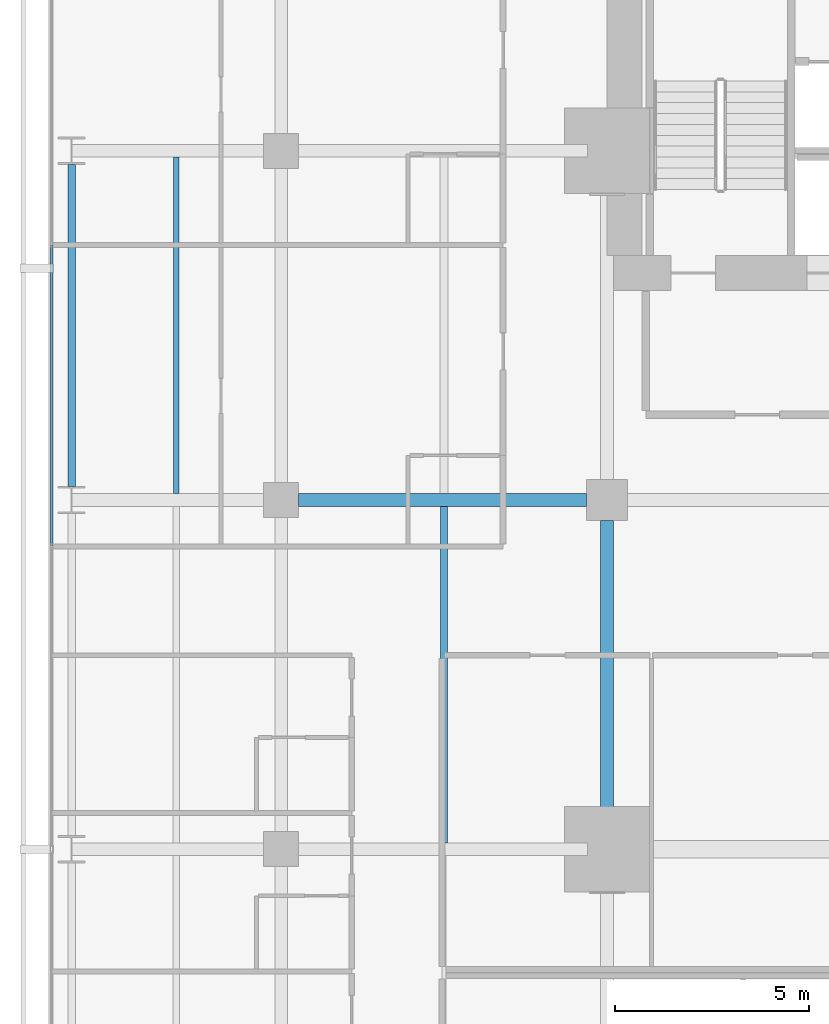
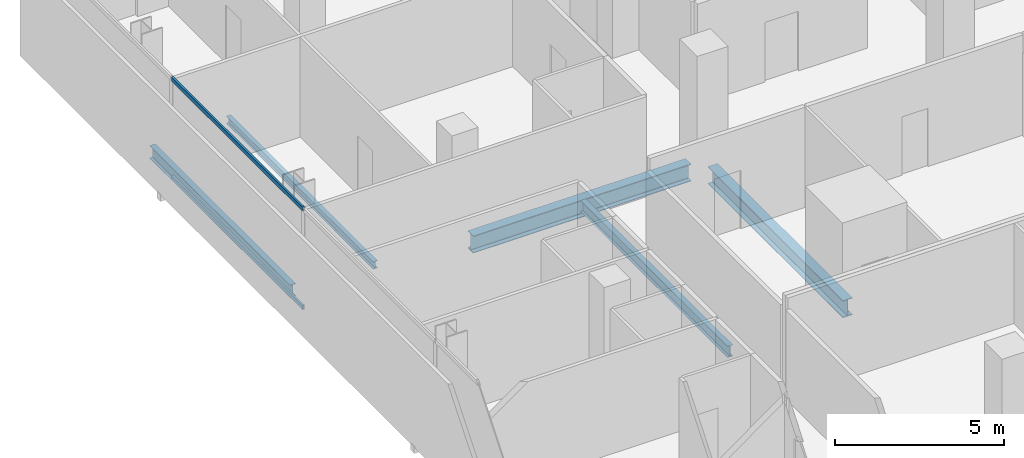
# One storey, part 22 of 40: 5 beams, 2 members, 1 element without a shape of its own.
"""IFC4 building model written with IfcOpenShell, lengths in metres."""

import ifcopenshell
import ifcopenshell.guid

model = None  # the IFC model being written
_history = None  # IfcOwnerHistory: only IFC2X3 demands one
_inside = {}  # id of a spatial element -> (the spatial element, [elements in it])
_under = {}  # id of a project, library or spatial element -> (it, [spatial elements below it])
_declared = {}  # id of a project -> (the project, [libraries it declares])
_typed = {}  # id of a type object -> (the type object, [elements of that type])
_made_of = {}  # id of a material, layer set ... -> (it, [elements and type objects made of it])


def new_model(schema):
    """Start an empty IFC model of exactly this schema.

    Asked for "IFC4X3", IfcOpenShell would pick the latest addendum, in which some entities
    have other attributes; the version numbers below select the first issue.
    IFC2X3 requires an IfcOwnerHistory on every rooted entity: one is made here for all.
    """
    global model, _history
    if schema == "IFC4X3":
        model = ifcopenshell.file(schema_version=(4, 3, 0, 0))
    else:
        model = ifcopenshell.file(schema=schema)
    _inside.clear()
    _under.clear()
    _declared.clear()
    _typed.clear()
    _made_of.clear()
    _history = None
    if model.schema == "IFC2X3":
        org = make("IfcOrganization", Name="unknown")
        user = make(
            "IfcPersonAndOrganization",
            ThePerson=make("IfcPerson", FamilyName="unknown"),
            TheOrganization=org,
        )
        app = make(
            "IfcApplication",
            ApplicationDeveloper=org,
            Version="unknown",
            ApplicationFullName="unknown",
            ApplicationIdentifier="unknown",
        )
        _history = make(
            "IfcOwnerHistory",
            OwningUser=user,
            OwningApplication=app,
            ChangeAction="ADDED",
            CreationDate=0,
        )
    return model


def make(cls, **values):
    """One entity of the class cls with the attributes given. An attribute that is None is left unset."""
    return model.create_entity(
        cls, **{name: value for name, value in values.items() if value is not None}
    )


def rooted(cls, **values):
    """An entity with a GlobalId (a new one), such as an element, a storey or a relation."""
    return make(cls, GlobalId=ifcopenshell.guid.new(), OwnerHistory=_history, **values)


def si_unit(unit_type, name, prefix=None):
    """IfcSIUnit, for example si_unit("LENGTHUNIT", "METRE", prefix="MILLI")."""
    return make("IfcSIUnit", UnitType=unit_type, Prefix=prefix, Name=name)


def assignment(units):
    """IfcUnitAssignment: the units of a project."""
    return None if units is None else make("IfcUnitAssignment", Units=units)


def point(xyz):
    """IfcCartesianPoint."""
    return None if xyz is None else make("IfcCartesianPoint", Coordinates=xyz)


def direction(xyz):
    """IfcDirection."""
    return None if xyz is None else make("IfcDirection", DirectionRatios=xyz)


def frame(location, z_axis=None, x_axis=None):
    """IfcAxis2Placement3D, a coordinate frame: its origin and axes. An axis left out is left unset."""
    return make(
        "IfcAxis2Placement3D",
        Location=point(location),
        Axis=direction(z_axis),
        RefDirection=direction(x_axis),
    )


def frame_2d(location, x_axis=None):
    """IfcAxis2Placement2D, a coordinate frame in the plane: its origin and x axis."""
    return make(
        "IfcAxis2Placement2D", Location=point(location), RefDirection=direction(x_axis)
    )


def origin():
    """The frame at (0, 0, 0) with its axes left unset."""
    return frame((0.0, 0.0, 0.0))


def origin_2d():
    """The frame at (0, 0) in the plane with its x axis left unset."""
    return frame_2d((0.0, 0.0))


def place(relative_to, where):
    """IfcLocalPlacement: puts the frame where relative to a parent placement (None: the world)."""
    return make(
        "IfcLocalPlacement", PlacementRelTo=relative_to, RelativePlacement=where
    )


def context(
    kind, dimensions, precision=None, world=None, true_north=None, identifier=None
):
    """IfcGeometricRepresentationContext, for example the 3D "Model" context."""
    return make(
        "IfcGeometricRepresentationContext",
        ContextIdentifier=identifier,
        ContextType=kind,
        CoordinateSpaceDimension=dimensions,
        Precision=precision,
        WorldCoordinateSystem=world,
        TrueNorth=true_north,
    )


def subcontext(parent, identifier, kind, view, scale=None):
    """IfcGeometricRepresentationSubContext, for example "Body" below "Model"."""
    return make(
        "IfcGeometricRepresentationSubContext",
        ContextIdentifier=identifier,
        ContextType=kind,
        ParentContext=parent,
        TargetScale=scale,
        TargetView=view,
    )


def project(units=None, contexts=None):
    """IfcProject with its units and contexts."""
    return rooted(
        "IfcProject",
        Name="project",
        RepresentationContexts=contexts,
        UnitsInContext=assignment(units),
    )


def spatial(cls, under=None, at=None, **own):
    """A site, building, storey or space (cls), placed at a placement, below another one or the project."""
    s = rooted(cls, ObjectPlacement=at, **own)
    if under is not None:
        _under.setdefault(under.id(), (under, []))[1].append(s)
    return s


def profile(cls, at=None, kind="AREA", **sizes):
    """A parametric profile (cls). Its sizes go by their IFC names, for example OverallWidth=200.0."""
    return make(cls, ProfileType=kind, Position=at, **sizes)


def hollow_rectangle(**sizes):
    """IfcRectangleHollowProfileDef."""
    return profile("IfcRectangleHollowProfileDef", **sizes)


def i_section(**sizes):
    """IfcIShapeProfileDef."""
    return profile("IfcIShapeProfileDef", **sizes)


def extrude(swept, where, along, depth):
    """IfcExtrudedAreaSolid: the profile swept, set in the frame where, extruded along a direction by depth."""
    return make(
        "IfcExtrudedAreaSolid",
        SweptArea=swept,
        Position=where,
        ExtrudedDirection=direction(along),
        Depth=depth,
    )


def shape(context_of_items, identifier, shape_type, items):
    """IfcShapeRepresentation: the items that make up one representation, for example the "Body"."""
    return make(
        "IfcShapeRepresentation",
        ContextOfItems=context_of_items,
        RepresentationIdentifier=identifier,
        RepresentationType=shape_type,
        Items=items,
    )


def material(Name=None, Category=None):
    """IfcMaterial."""
    return make("IfcMaterial", Name=Name, Category=Category)


def layer(
    of_material, thickness, ventilated=None, Name=None, Category=None, Priority=None
):
    """IfcMaterialLayer: one layer of a wall or slab, of a material (None: an air gap)."""
    return make(
        "IfcMaterialLayer",
        Material=of_material,
        LayerThickness=thickness,
        IsVentilated=ventilated,
        Name=Name,
        Category=Category,
        Priority=Priority,
    )


def layer_set(layers, Name=None):
    """IfcMaterialLayerSet."""
    return make("IfcMaterialLayerSet", MaterialLayers=layers, LayerSetName=Name)


def material_profile(
    of_material, cross_section, Name=None, Category=None, Priority=None
):
    """IfcMaterialProfile: a cross section and its material."""
    return make(
        "IfcMaterialProfile",
        Name=Name,
        Material=of_material,
        Profile=cross_section,
        Priority=Priority,
        Category=Category,
    )


def profile_set(profiles, Name=None, composite=None):
    """IfcMaterialProfileSet."""
    return make(
        "IfcMaterialProfileSet",
        Name=Name,
        MaterialProfiles=profiles,
        CompositeProfile=composite,
    )


def made_of(thing, what):
    """Note that an element or type object is made of a material, layer set ...; save() writes the relation."""
    if what is not None:
        _made_of.setdefault(what.id(), (what, []))[1].append(thing)
    return thing


def type_object(cls, material=None, **own):
    """A type object (cls), such as IfcWallType, which elements share."""
    return made_of(rooted(cls, **own), material)


def element(
    cls,
    number,
    at=None,
    inside=None,
    cuts=None,
    type_object=None,
    material=None,
    context=None,
    identifier="Body",
    shape_type=None,
    held_by="IfcProductDefinitionShape",
    body=None,
    shapes=None,
    **own,
):
    """One element of the class cls, such as IfcWall. Its Tag is "e" and its number.

    at: its placement. inside: the storey or other place that contains it. cuts: it is an
    opening in that element (IfcRelVoidsElement). A single representation is given by context,
    identifier, shape_type and body (its items); several are given by shapes. held_by: the class
    of the entity that holds the representations. save() writes the other relations.
    """
    e = rooted(cls, Tag="e%d" % number, ObjectPlacement=at, **own)
    if body is not None:
        shapes = [shape(context, identifier, shape_type, body)]
    if shapes is not None:
        e.Representation = make(held_by, Representations=shapes)
    if inside is not None:
        _inside.setdefault(inside.id(), (inside, []))[1].append(e)
    if cuts is not None:
        rooted(
            "IfcRelVoidsElement", RelatingBuildingElement=cuts, RelatedOpeningElement=e
        )
    if type_object is not None:
        _typed.setdefault(type_object.id(), (type_object, []))[1].append(e)
    return made_of(e, material)


def aggregate(whole, parts):
    """IfcRelAggregates: a whole, such as a stair, and the parts it consists of."""
    return rooted("IfcRelAggregates", RelatingObject=whole, RelatedObjects=parts)


def save(model, path):
    """Write the relations noted so far, then the file.

    IfcRelAggregates (storeys below a building ...), IfcRelContainedInSpatialStructure (elements
    in a storey), IfcRelDefinesByType, IfcRelAssociatesMaterial and IfcRelDeclares: one each for
    every whole, place, type object, material and project.
    """
    for whole, parts in _under.values():
        aggregate(whole, parts)
    for where, things in _inside.values():
        rooted(
            "IfcRelContainedInSpatialStructure",
            RelatedElements=things,
            RelatingStructure=where,
        )
    for kind, things in _typed.values():
        rooted("IfcRelDefinesByType", RelatedObjects=things, RelatingType=kind)
    for what, things in _made_of.values():
        rooted("IfcRelAssociatesMaterial", RelatedObjects=things, RelatingMaterial=what)
    for by, libraries in _declared.values():
        rooted("IfcRelDeclares", RelatingContext=by, RelatedDefinitions=libraries)
    model.write(path)


model = new_model("IFC4")

# Units and contexts
model_context = context("Model", 3, precision=1e-05, world=origin(), true_north=direction((0.0, 1.0)))
body_context = subcontext(model_context, "Body", "Model", "MODEL_VIEW")
ifc_project = project(units=[si_unit("LENGTHUNIT", "METRE"), si_unit("AREAUNIT", "SQUARE_METRE"), si_unit("VOLUMEUNIT", "CUBIC_METRE"), si_unit("PLANEANGLEUNIT", "RADIAN"), si_unit("MASSUNIT", "GRAM", prefix="KILO")], contexts=[model_context])

# Site, building, storey
site_placement = place(None, origin())
site = spatial("IfcSite", under=ifc_project, at=site_placement, CompositionType="ELEMENT")
building_placement = place(site_placement, origin())
building = spatial("IfcBuilding", under=site, at=building_placement, Name="Maruvema Waterfront Hotel and Observation Tower", CompositionType="ELEMENT")
storey_placement = place(building_placement, frame((0.0, 0.0, 53.89990234375)))
storey = spatial("IfcBuildingStorey", under=building, at=storey_placement, Name="L12", CompositionType="ELEMENT", Elevation=53.89990234375)

# Curtain wall, members
ifc_material_1 = material(Name="Anodised bronze aluminium and solar-control low-E IGU", Category="aluminium")
ifc_layer = layer(ifc_material_1, 0.159912109375, Name="Zone 1 Bronze Inner Thermal Curtain Wall System CW-02")
ifc_layer_set = layer_set([ifc_layer], Name="Anodised bronze aluminium and solar-control low-E IGU")
curtain_wall_type = type_object("IfcCurtainWallType", Name="Zone 1 Bronze Inner Thermal Curtain Wall System CW-02", PredefinedType="USERDEFINED", material=ifc_layer_set)
curtain_wall_placement = place(storey_placement, origin())
curtain_wall = element("IfcCurtainWall", 1, at=curtain_wall_placement, inside=storey, type_object=curtain_wall_type, Name="L12 Curtain Wall CW-L12-W", ObjectType="UNITISED CURTAIN WALL", PredefinedType="USERDEFINED")
ifc_material_2 = material(Name="Anodised architectural bronze aluminium", Category="aluminium")
ifc_material_profile_1 = material_profile(ifc_material_2, hollow_rectangle(XDim=0.070068359375, YDim=0.14990234375, WallThickness=0.00390625, at=origin_2d()), Name="ALU-T70x150")
ifc_profile_set_1 = profile_set([ifc_material_profile_1], Name="Anodised architectural bronze aluminium")
member_type = type_object("IfcMemberType", Name="Curtain Wall Horizontal Transom ALU-T70x150", PredefinedType="USERDEFINED", material=ifc_profile_set_1)
member_1_placement = place(storey_placement, frame((10.8798828125, 42.570068359375, 0.030029296875), z_axis=(0.0, -1.0, 0.0), x_axis=(1.0, 0.0, 0.0)))
member_1 = element("IfcMember", 2, at=member_1_placement, type_object=member_type, Name="CW-02 transom 2.1", ObjectType="TRANSOM", PredefinedType="USERDEFINED", context=body_context, shape_type="SweptSolid", body=[
    extrude(hollow_rectangle(XDim=0.070068359375, YDim=0.14990234375, WallThickness=0.00390625, at=origin_2d()), origin(), (0.0, 0.0, 1.0), 7.739990234375),
])
member_2_placement = place(storey_placement, frame((10.8798828125, 42.570068359375, 3.580078125), z_axis=(0.0, -1.0, 0.0), x_axis=(1.0, 0.0, 0.0)))
member_2 = element("IfcMember", 3, at=member_2_placement, type_object=member_type, Name="CW-02 transom 2.2", ObjectType="TRANSOM", PredefinedType="USERDEFINED", context=body_context, shape_type="SweptSolid", body=[
    extrude(hollow_rectangle(XDim=0.070068359375, YDim=0.14990234375, WallThickness=0.00390625, at=origin_2d()), origin(), (0.0, 0.0, 1.0), 7.739990234375),
])
aggregate(curtain_wall, [member_1, member_2])

# Beams
ifc_material_3 = material(Name="Steel ASTM A572 Grade 50", Category="steel")
ifc_material_profile_2 = material_profile(ifc_material_3, i_section(OverallWidth=0.18994140625, OverallDepth=0.45703125, WebThickness=0.009033203125, FlangeThickness=0.014404296875, FilletRadius=0.014892578125, at=origin_2d()), Name="W460x74.0")
ifc_profile_set_2 = profile_set([ifc_material_profile_2], Name="Steel ASTM A572 Grade 50")
beam_type_1 = type_object("IfcBeamType", Name="Perimeter Spandrel Beam W460x74.0", PredefinedType="SPANDREL", material=ifc_profile_set_2)
beam_1_placement = place(storey_placement, frame((11.39990234375, 36.35009765625, -0.468505859375), z_axis=(0.0, 1.0, 0.0), x_axis=(-1.0, 0.0, 0.0)))
element("IfcBeam", 4, at=beam_1_placement, inside=storey, type_object=beam_type_1, Name="L12 Floor Girder NS-04", PredefinedType="SPANDREL", context=body_context, shape_type="SweptSolid", body=[
    extrude(i_section(OverallWidth=0.18994140625, OverallDepth=0.45703125, WebThickness=0.009033203125, FlangeThickness=0.014404296875, FilletRadius=0.014892578125, at=origin_2d()), origin(), (0.0, 0.0, 1.0), 8.2998046875),
])
ifc_material_4 = material(Name="Steel ASTM A572 Grade 50", Category="steel")
ifc_material_profile_3 = material_profile(ifc_material_4, i_section(OverallWidth=0.326904296875, OverallDepth=0.6220703125, WebThickness=0.015380859375, FlangeThickness=0.0244140625, FilletRadius=0.01806640625, at=origin_2d()), Name="W610x195.0")
ifc_profile_set_3 = profile_set([ifc_material_profile_3], Name="Steel ASTM A572 Grade 50")
beam_type_2 = type_object("IfcBeamType", Name="Primary Floor Girder W610x195.0", PredefinedType="BEAM", material=ifc_profile_set_3)
beam_2_placement = place(storey_placement, frame((17.25, 36.0, -0.55078125), z_axis=(1.0, 0.0, 0.0), x_axis=(0.0, 1.0, 0.0)))
element("IfcBeam", 5, at=beam_2_placement, inside=storey, type_object=beam_type_2, Name="L12 Floor Girder EW-26", PredefinedType="BEAM", context=body_context, shape_type="SweptSolid", body=[
    extrude(i_section(OverallWidth=0.326904296875, OverallDepth=0.6220703125, WebThickness=0.015380859375, FlangeThickness=0.0244140625, FilletRadius=0.01806640625, at=origin_2d()), origin(), (0.0, 0.0, 1.0), 7.425048828125),
])
beam_3_placement = place(storey_placement, frame((25.199951171875, 27.5, -0.55078125), z_axis=(0.0, 1.0, 0.0), x_axis=(-1.0, 0.0, 0.0)))
element("IfcBeam", 6, at=beam_3_placement, inside=storey, type_object=beam_type_2, Name="L12 Floor Girder NS-14", PredefinedType="BEAM", context=body_context, shape_type="SweptSolid", body=[
    extrude(i_section(OverallWidth=0.326904296875, OverallDepth=0.6220703125, WebThickness=0.015380859375, FlangeThickness=0.0244140625, FilletRadius=0.01806640625, at=origin_2d()), origin(), (0.0, 0.0, 1.0), 7.97509765625),
])
ifc_material_5 = material(Name="Steel ASTM A572 Grade 50", Category="steel")
ifc_material_profile_4 = material_profile(ifc_material_5, i_section(OverallWidth=0.14794921875, OverallDepth=0.26611328125, WebThickness=0.007568359375, FlangeThickness=0.012939453125, FilletRadius=0.012939453125, at=origin_2d()), Name="W250x44.8")
ifc_profile_set_4 = profile_set([ifc_material_profile_4], Name="Steel ASTM A572 Grade 50")
beam_type_3 = type_object("IfcBeamType", Name="Secondary Floor Joist W250x44.8", PredefinedType="JOIST", material=ifc_profile_set_4)
beam_4_placement = place(storey_placement, frame((14.10009765625, 36.16357421875, -0.372802734375), z_axis=(0.0, 1.0, 0.0), x_axis=(-1.0, 0.0, 0.0)))
element("IfcBeam", 7, at=beam_4_placement, inside=storey, type_object=beam_type_3, Name="L12 Secondary Floor Joist JS-04", PredefinedType="JOIST", context=body_context, shape_type="SweptSolid", body=[
    extrude(i_section(OverallWidth=0.14794921875, OverallDepth=0.26611328125, WebThickness=0.007568359375, FlangeThickness=0.012939453125, FilletRadius=0.012939453125, at=origin_2d()), origin(), (0.0, 0.0, 1.0), 8.6728515625),
])
ifc_material_6 = material(Name="Steel ASTM A572 Grade 50", Category="steel")
ifc_material_profile_5 = material_profile(ifc_material_6, i_section(OverallWidth=0.177001953125, OverallDepth=0.403076171875, WebThickness=0.007568359375, FlangeThickness=0.010986328125, FilletRadius=0.014892578125, at=origin_2d()), Name="W410x53.0")
ifc_profile_set_5 = profile_set([ifc_material_profile_5], Name="Steel ASTM A572 Grade 50")
beam_type_4 = type_object("IfcBeamType", Name="Secondary Floor Joist W410x53.0", PredefinedType="JOIST", material=ifc_profile_set_5)
beam_5_placement = place(storey_placement, frame((21.0, 27.16357421875, -0.44140625), z_axis=(0.0, 1.0, 0.0), x_axis=(-1.0, 0.0, 0.0)))
element("IfcBeam", 8, at=beam_5_placement, inside=storey, type_object=beam_type_4, Name="L12 Secondary Floor Joist JS-08", PredefinedType="JOIST", context=body_context, shape_type="SweptSolid", body=[
    extrude(i_section(OverallWidth=0.177001953125, OverallDepth=0.403076171875, WebThickness=0.007568359375, FlangeThickness=0.010986328125, FilletRadius=0.014892578125, at=origin_2d()), origin(), (0.0, 0.0, 1.0), 8.6728515625),
])

save(model, "model.ifc")
